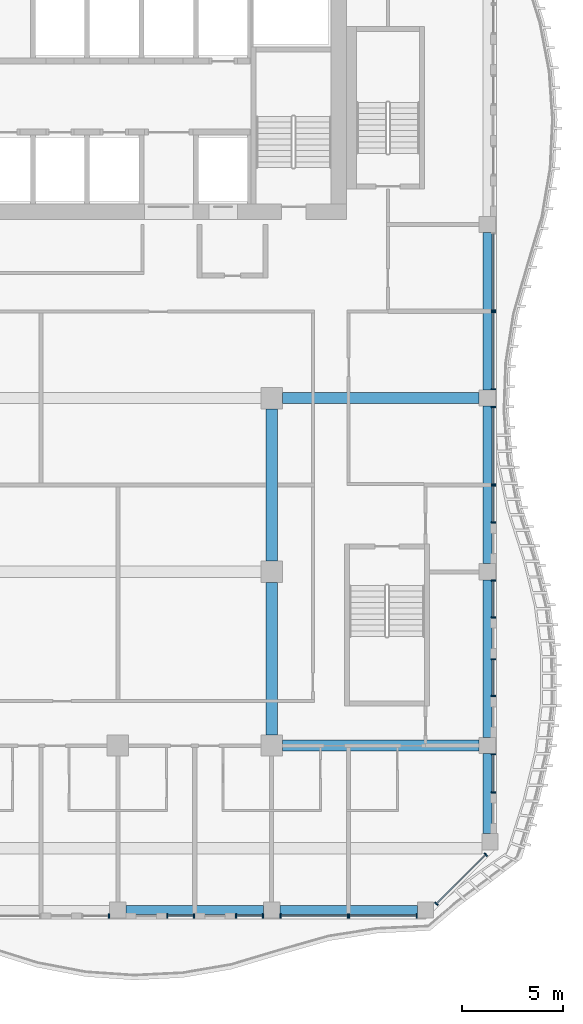
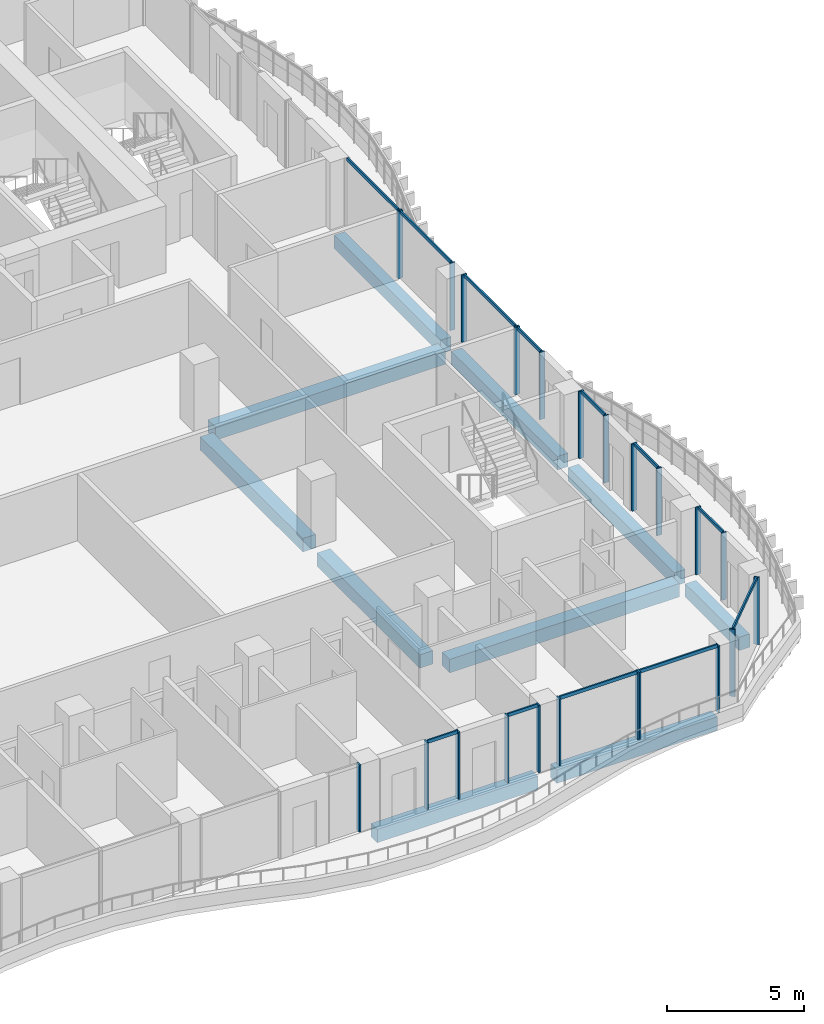
# One storey, part 6 of 24: 36 members, 10 beams, 13 elements without a shape of their own.
"""IFC4 building model written with IfcOpenShell, lengths in metres."""

from ifc_helpers import new_model, si_unit, direction, frame, origin, origin_2d, place, context, subcontext, project, spatial, rectangle, extrude, source, transform, mapped, material, material_profile, profile_set, type_object, element, aggregate, save


model = new_model("IFC4")

# Units and contexts
model_context = context("Model", 3, precision=1e-05, world=origin(), true_north=direction((0.0, 1.0)))
body_context = subcontext(model_context, "Body", "Model", "MODEL_VIEW")
ifc_project = project(units=[si_unit("LENGTHUNIT", "METRE"), si_unit("AREAUNIT", "SQUARE_METRE"), si_unit("VOLUMEUNIT", "CUBIC_METRE"), si_unit("PLANEANGLEUNIT", "RADIAN"), si_unit("MASSUNIT", "GRAM", prefix="KILO")], contexts=[model_context])

# Site, building, storey
site_placement = place(None, origin())
site = spatial("IfcSite", under=ifc_project, at=site_placement, CompositionType="ELEMENT")
building_placement = place(site_placement, origin())
building = spatial("IfcBuilding", under=site, at=building_placement, Name="Kilnfold Tower and Market Hall", CompositionType="ELEMENT")
storey_placement = place(building_placement, frame((0.0, 0.0, 192.300048828125)))
storey = spatial("IfcBuildingStorey", under=building, at=storey_placement, Name="L46", CompositionType="ELEMENT", Elevation=192.300048828125)

# Beams
ifc_material_1 = material(Name="Concrete C45", Category="concrete")
ifc_material_profile_1 = material_profile(ifc_material_1, rectangle(XDim=0.449951171875, YDim=0.60009765625, at=origin_2d()), Name="RC 450x600")
ifc_profile_set_1 = profile_set([ifc_material_profile_1], Name="Concrete C45")
beam_type_1 = type_object("IfcBeamType", Name="EDGE BEAM 450X600 C45", PredefinedType="BEAM", material=ifc_profile_set_1)
shared_shape_1 = source(origin(), body_context, "Body", "SweptSolid", [
    extrude(rectangle(XDim=0.449951171875, YDim=0.60009765625, at=origin_2d()), origin(), (0.0, 0.0, 1.0), 6.783447265625),
])
beam_1_placement = place(storey_placement, frame((14.566650390625, -25.800048828125, -0.580078125), z_axis=(1.0, 0.0, 0.0), x_axis=(0.0, 1.0, 0.0)))
element("IfcBeam", 1, at=beam_1_placement, inside=storey, type_object=beam_type_1, Name="Beam EB600-B5.50", PredefinedType="BEAM", context=body_context, shape_type="MappedRepresentation", body=[
    mapped(shared_shape_1, transform((0.0, 0.0, 0.0))),
])
shared_shape_2 = source(origin(), body_context, "Body", "SweptSolid", [
    extrude(rectangle(XDim=0.449951171875, YDim=0.60009765625, at=origin_2d()), origin(), (0.0, 0.0, 1.0), 6.783203125),
])
beam_2_placement = place(storey_placement, frame((6.9833984375, -25.800048828125, -0.580078125), z_axis=(1.0, 0.0, 0.0), x_axis=(0.0, 1.0, 0.0)))
element("IfcBeam", 2, at=beam_2_placement, inside=storey, type_object=beam_type_1, Name="Beam EB600-B5.49", PredefinedType="BEAM", context=body_context, shape_type="MappedRepresentation", body=[
    mapped(shared_shape_2, transform((0.0, 0.0, 0.0))),
])
ifc_material_2 = material(Name="Concrete C45", Category="concrete")
ifc_material_profile_2 = material_profile(ifc_material_2, rectangle(XDim=0.550048828125, YDim=0.60009765625, at=origin_2d()), Name="RC 550x600")
ifc_profile_set_2 = profile_set([ifc_material_profile_2], Name="Concrete C45")
beam_type_2 = type_object("IfcBeamType", Name="BEAM 550X600 C45", PredefinedType="BEAM", material=ifc_profile_set_2)
shared_shape_3 = source(origin(), body_context, "Body", "SweptSolid", [
    extrude(rectangle(XDim=0.550048828125, YDim=0.60009765625, at=origin_2d()), origin(), (0.0, 0.0, 1.0), 9.708251953125),
])
for number, where, z_axis, x_axis, name in (
    (3, (14.691650390625, -17.68994140625, -0.580078125), (1.0, 0.0, 0.0), (0.0, 1.0, 0.0), "Beam BB600-B5.53"),
    (4, (14.691650390625, -0.56005859375, -0.580078125), (1.0, 0.0, 0.0), (0.0, 1.0, 0.0), "Beam BB600-B5.57"),
):
    element("IfcBeam", number, at=place(storey_placement, frame(where, z_axis=z_axis, x_axis=x_axis)), inside=storey, type_object=beam_type_2, Name=name, PredefinedType="BEAM", context=body_context, shape_type="MappedRepresentation", body=[
        mapped(shared_shape_3, transform((0.0, 0.0, 0.0))),
    ])
shared_shape_4 = source(origin(), body_context, "Body", "SweptSolid", [
    extrude(rectangle(XDim=0.449951171875, YDim=0.60009765625, at=origin_2d()), origin(), (0.0, 0.0, 1.0), 7.7626953125),
])
for number, where, z_axis, x_axis, name in (
    (5, (24.800048828125, -17.28759765625, -0.580078125), (0.0, 1.0, 0.0), (-1.0, 0.0, 0.0), "Beam EB600-B5.76"),
    (6, (24.800048828125, -8.72509765625, -0.580078125), (0.0, 1.0, 0.0), (-1.0, 0.0, 0.0), "Beam EB600-B5.77"),
    (7, (24.800048828125, -0.16259765625, -0.580078125), (0.0, 1.0, 0.0), (-1.0, 0.0, 0.0), "Beam EB600-B5.78"),
):
    element("IfcBeam", number, at=place(storey_placement, frame(where, z_axis=z_axis, x_axis=x_axis)), inside=storey, type_object=beam_type_1, Name=name, PredefinedType="BEAM", context=body_context, shape_type="MappedRepresentation", body=[
        mapped(shared_shape_4, transform((0.0, 0.0, 0.0))),
    ])
shared_shape_5 = source(origin(), body_context, "Body", "SweptSolid", [
    extrude(rectangle(XDim=0.550048828125, YDim=0.60009765625, at=origin_2d()), origin(), (0.0, 0.0, 1.0), 7.5126953125),
])
for number, where, z_axis, x_axis, name in (
    (8, (14.169921875, -17.16259765625, -0.580078125), (0.0, 1.0, 0.0), (-1.0, 0.0, 0.0), "Beam BB600-B5.73"),
    (9, (14.169921875, -8.60009765625, -0.580078125), (0.0, 1.0, 0.0), (-1.0, 0.0, 0.0), "Beam BB600-B5.74"),
):
    element("IfcBeam", number, at=place(storey_placement, frame(where, z_axis=z_axis, x_axis=x_axis)), inside=storey, type_object=beam_type_2, Name=name, PredefinedType="BEAM", context=body_context, shape_type="MappedRepresentation", body=[
        mapped(shared_shape_5, transform((0.0, 0.0, 0.0))),
    ])
shared_shape_6 = source(origin(), body_context, "Body", "SweptSolid", [
    extrude(rectangle(XDim=0.449951171875, YDim=0.60009765625, at=origin_2d()), origin(), (0.0, 0.0, 1.0), 3.9443359375),
])
beam_3_placement = place(storey_placement, frame((24.800048828125, -22.03173828125, -0.580078125), z_axis=(0.0, 1.0, 0.0), x_axis=(-1.0, 0.0, 0.0)))
element("IfcBeam", 10, at=beam_3_placement, inside=storey, type_object=beam_type_1, Name="Beam EB600-B5.75", PredefinedType="BEAM", context=body_context, shape_type="MappedRepresentation", body=[
    mapped(shared_shape_6, transform((0.0, 0.0, 0.0))),
])

# Curtain wall, member
ifc_material_3 = material(Name="Aluminium and double glazing", Category="aluminium")
curtain_wall_type = type_object("IfcCurtainWallType", Name="CW GARDEN HOTEL WINTER GARDEN", PredefinedType="NOTDEFINED", material=ifc_material_3)
curtain_wall_1_placement = place(storey_placement, origin())
curtain_wall_1 = element("IfcCurtainWall", 11, at=curtain_wall_1_placement, inside=storey, type_object=curtain_wall_type, Name="Curtain wall CW5 L46 S", PredefinedType="NOTDEFINED")
ifc_material_4 = material(Name="Aluminium", Category="aluminium")
ifc_material_profile_3 = material_profile(ifc_material_4, rectangle(XDim=0.06494140625, YDim=0.2099609375, at=origin_2d()), Name="MULLION 65x210")
ifc_profile_set_3 = profile_set([ifc_material_profile_3], Name="Aluminium")
member_type_1 = type_object("IfcMemberType", Name="MULLION 65X210", PredefinedType="MULLION", material=ifc_profile_set_3)
shared_shape_7 = source(origin(), body_context, "Body", "SweptSolid", [
    extrude(rectangle(XDim=0.06494140625, YDim=0.2099609375, at=origin_2d()), origin(), (0.0, 0.0, 1.0), 3.0),
])
member_1_placement = place(storey_placement, frame((6.15087890625, -26.10009765625, 0.0), z_axis=(0.0, 0.0, 1.0), x_axis=(1.0, 0.0, 0.0)))
member_1 = element("IfcMember", 12, at=member_1_placement, type_object=member_type_1, Name="CW5 mullion 2", PredefinedType="MULLION", context=body_context, shape_type="MappedRepresentation", body=[
    mapped(shared_shape_7, transform((0.0, 0.0, 0.0))),
])
aggregate(curtain_wall_1, [member_1])

# Curtain wall, members
curtain_wall_2_placement = place(storey_placement, origin())
curtain_wall_2 = element("IfcCurtainWall", 13, at=curtain_wall_2_placement, inside=storey, type_object=curtain_wall_type, Name="Curtain wall CW5 L46 S", PredefinedType="NOTDEFINED")
member_2_placement = place(storey_placement, frame((9.015869140625, -26.10009765625, 0.0), z_axis=(0.0, 0.0, 1.0), x_axis=(1.0, 0.0, 0.0)))
member_2 = element("IfcMember", 14, at=member_2_placement, type_object=member_type_1, Name="CW5 mullion 1", PredefinedType="MULLION", context=body_context, shape_type="MappedRepresentation", body=[
    mapped(shared_shape_7, transform((0.0, 0.0, 0.0))),
])
member_3_placement = place(storey_placement, frame((10.342529296875, -26.10009765625, 0.0), z_axis=(0.0, 0.0, 1.0), x_axis=(1.0, 0.0, 0.0)))
member_3 = element("IfcMember", 15, at=member_3_placement, type_object=member_type_1, Name="CW5 mullion 2", PredefinedType="MULLION", context=body_context, shape_type="MappedRepresentation", body=[
    mapped(shared_shape_7, transform((0.0, 0.0, 0.0))),
])

curtain_wall_3_placement = place(storey_placement, origin())
curtain_wall_3 = element("IfcCurtainWall", 16, at=curtain_wall_3_placement, inside=storey, type_object=curtain_wall_type, Name="Curtain wall CW5 L46 S", PredefinedType="NOTDEFINED")
member_4_placement = place(storey_placement, frame((12.407470703125, -26.10009765625, 0.0), z_axis=(0.0, 0.0, 1.0), x_axis=(1.0, 0.0, 0.0)))
member_4 = element("IfcMember", 17, at=member_4_placement, type_object=member_type_1, Name="CW5 mullion 1", PredefinedType="MULLION", context=body_context, shape_type="MappedRepresentation", body=[
    mapped(shared_shape_7, transform((0.0, 0.0, 0.0))),
])
member_5_placement = place(storey_placement, frame((13.734130859375, -26.10009765625, 0.0), z_axis=(0.0, 0.0, 1.0), x_axis=(1.0, 0.0, 0.0)))
member_5 = element("IfcMember", 18, at=member_5_placement, type_object=member_type_1, Name="CW5 mullion 2", PredefinedType="MULLION", context=body_context, shape_type="MappedRepresentation", body=[
    mapped(shared_shape_7, transform((0.0, 0.0, 0.0))),
])

curtain_wall_4_placement = place(storey_placement, origin())
curtain_wall_4 = element("IfcCurtainWall", 19, at=curtain_wall_4_placement, inside=storey, type_object=curtain_wall_type, Name="Curtain wall CW5 L46 S", PredefinedType="NOTDEFINED")
member_6_placement = place(storey_placement, frame((14.59912109375, -26.10009765625, 0.0), z_axis=(0.0, 0.0, 1.0), x_axis=(1.0, 0.0, 0.0)))
member_6 = element("IfcMember", 20, at=member_6_placement, type_object=member_type_1, Name="CW5 mullion 1", PredefinedType="MULLION", context=body_context, shape_type="MappedRepresentation", body=[
    mapped(shared_shape_7, transform((0.0, 0.0, 0.0))),
])
member_7_placement = place(storey_placement, frame((17.92578125, -26.10009765625, 0.0), z_axis=(0.0, 0.0, 1.0), x_axis=(1.0, 0.0, 0.0)))
member_7 = element("IfcMember", 21, at=member_7_placement, type_object=member_type_1, Name="CW5 mullion 2", PredefinedType="MULLION", context=body_context, shape_type="MappedRepresentation", body=[
    mapped(shared_shape_7, transform((0.0, 0.0, 0.0))),
])

curtain_wall_5_placement = place(storey_placement, origin())
curtain_wall_5 = element("IfcCurtainWall", 22, at=curtain_wall_5_placement, inside=storey, type_object=curtain_wall_type, Name="Curtain wall CW5 L46 S", PredefinedType="NOTDEFINED")
member_8_placement = place(storey_placement, frame((17.99072265625, -26.10009765625, 0.0), z_axis=(0.0, 0.0, 1.0), x_axis=(1.0, 0.0, 0.0)))
member_8 = element("IfcMember", 23, at=member_8_placement, type_object=member_type_1, Name="CW5 mullion 1", PredefinedType="MULLION", context=body_context, shape_type="MappedRepresentation", body=[
    mapped(shared_shape_7, transform((0.0, 0.0, 0.0))),
])
member_9_placement = place(storey_placement, frame((21.3173828125, -26.10009765625, 0.0), z_axis=(0.0, 0.0, 1.0), x_axis=(1.0, 0.0, 0.0)))
member_9 = element("IfcMember", 24, at=member_9_placement, type_object=member_type_1, Name="CW5 mullion 2", PredefinedType="MULLION", context=body_context, shape_type="MappedRepresentation", body=[
    mapped(shared_shape_7, transform((0.0, 0.0, 0.0))),
])

curtain_wall_6_placement = place(storey_placement, origin())
curtain_wall_6 = element("IfcCurtainWall", 25, at=curtain_wall_6_placement, inside=storey, type_object=curtain_wall_type, Name="Curtain wall CW5 L46 SE", PredefinedType="NOTDEFINED")
member_10_placement = place(storey_placement, frame((22.2919921875, -25.495849609375, 0.0), z_axis=(0.0, 0.0, 1.0), x_axis=(0.707121065738, 0.707092496347, 0.0)))
member_10 = element("IfcMember", 26, at=member_10_placement, type_object=member_type_1, Name="CW5 mullion 1", PredefinedType="MULLION", context=body_context, shape_type="MappedRepresentation", body=[
    mapped(shared_shape_7, transform((0.0, 0.0, 0.0))),
])
member_11_placement = place(storey_placement, frame((24.720947265625, -23.06689453125, 0.0), z_axis=(0.0, 0.0, 1.0), x_axis=(0.707121065738, 0.707092496347, 0.0)))
member_11 = element("IfcMember", 27, at=member_11_placement, type_object=member_type_1, Name="CW5 mullion 2", PredefinedType="MULLION", context=body_context, shape_type="MappedRepresentation", body=[
    mapped(shared_shape_7, transform((0.0, 0.0, 0.0))),
])

curtain_wall_7_placement = place(storey_placement, origin())
curtain_wall_7 = element("IfcCurtainWall", 28, at=curtain_wall_7_placement, inside=storey, type_object=curtain_wall_type, Name="Curtain wall CW5 L46 E", PredefinedType="NOTDEFINED")
member_12_placement = place(storey_placement, frame((25.10009765625, -19.999267578125, 0.0), z_axis=(0.0, 0.0, 1.0), x_axis=(0.0, 1.0, 0.0)))
member_12 = element("IfcMember", 29, at=member_12_placement, type_object=member_type_1, Name="CW5 mullion 1", PredefinedType="MULLION", context=body_context, shape_type="MappedRepresentation", body=[
    mapped(shared_shape_7, transform((0.0, 0.0, 0.0))),
])
member_13_placement = place(storey_placement, frame((25.10009765625, -18.1201171875, 0.0), z_axis=(0.0, 0.0, 1.0), x_axis=(0.0, 1.0, 0.0)))
member_13 = element("IfcMember", 30, at=member_13_placement, type_object=member_type_1, Name="CW5 mullion 2", PredefinedType="MULLION", context=body_context, shape_type="MappedRepresentation", body=[
    mapped(shared_shape_7, transform((0.0, 0.0, 0.0))),
])

curtain_wall_8_placement = place(storey_placement, origin())
curtain_wall_8 = element("IfcCurtainWall", 31, at=curtain_wall_8_placement, inside=storey, type_object=curtain_wall_type, Name="Curtain wall CW5 L46 E", PredefinedType="NOTDEFINED")
member_14_placement = place(storey_placement, frame((25.10009765625, -15.2548828125, 0.0), z_axis=(0.0, 0.0, 1.0), x_axis=(0.0, 1.0, 0.0)))
member_14 = element("IfcMember", 32, at=member_14_placement, type_object=member_type_1, Name="CW5 mullion 1", PredefinedType="MULLION", context=body_context, shape_type="MappedRepresentation", body=[
    mapped(shared_shape_7, transform((0.0, 0.0, 0.0))),
])
member_15_placement = place(storey_placement, frame((25.10009765625, -13.438720703125, 0.0), z_axis=(0.0, 0.0, 1.0), x_axis=(0.0, 1.0, 0.0)))
member_15 = element("IfcMember", 33, at=member_15_placement, type_object=member_type_1, Name="CW5 mullion 2", PredefinedType="MULLION", context=body_context, shape_type="MappedRepresentation", body=[
    mapped(shared_shape_7, transform((0.0, 0.0, 0.0))),
])

curtain_wall_9_placement = place(storey_placement, origin())
curtain_wall_9 = element("IfcCurtainWall", 34, at=curtain_wall_9_placement, inside=storey, type_object=curtain_wall_type, Name="Curtain wall CW5 L46 E", PredefinedType="NOTDEFINED")
member_16_placement = place(storey_placement, frame((25.10009765625, -11.373779296875, 0.0), z_axis=(0.0, 0.0, 1.0), x_axis=(0.0, 1.0, 0.0)))
member_16 = element("IfcMember", 35, at=member_16_placement, type_object=member_type_1, Name="CW5 mullion 1", PredefinedType="MULLION", context=body_context, shape_type="MappedRepresentation", body=[
    mapped(shared_shape_7, transform((0.0, 0.0, 0.0))),
])
member_17_placement = place(storey_placement, frame((25.10009765625, -9.5576171875, 0.0), z_axis=(0.0, 0.0, 1.0), x_axis=(0.0, 1.0, 0.0)))
member_17 = element("IfcMember", 36, at=member_17_placement, type_object=member_type_1, Name="CW5 mullion 2", PredefinedType="MULLION", context=body_context, shape_type="MappedRepresentation", body=[
    mapped(shared_shape_7, transform((0.0, 0.0, 0.0))),
])

curtain_wall_10_placement = place(storey_placement, origin())
curtain_wall_10 = element("IfcCurtainWall", 37, at=curtain_wall_10_placement, inside=storey, type_object=curtain_wall_type, Name="Curtain wall CW5 L46 E", PredefinedType="NOTDEFINED")
member_18_placement = place(storey_placement, frame((25.10009765625, -6.6923828125, 0.0), z_axis=(0.0, 0.0, 1.0), x_axis=(0.0, 1.0, 0.0)))
member_18 = element("IfcMember", 38, at=member_18_placement, type_object=member_type_1, Name="CW5 mullion 1", PredefinedType="MULLION", context=body_context, shape_type="MappedRepresentation", body=[
    mapped(shared_shape_7, transform((0.0, 0.0, 0.0))),
])
member_19_placement = place(storey_placement, frame((25.10009765625, -4.876220703125, 0.0), z_axis=(0.0, 0.0, 1.0), x_axis=(0.0, 1.0, 0.0)))
member_19 = element("IfcMember", 39, at=member_19_placement, type_object=member_type_1, Name="CW5 mullion 2", PredefinedType="MULLION", context=body_context, shape_type="MappedRepresentation", body=[
    mapped(shared_shape_7, transform((0.0, 0.0, 0.0))),
])

curtain_wall_11_placement = place(storey_placement, origin())
curtain_wall_11 = element("IfcCurtainWall", 40, at=curtain_wall_11_placement, inside=storey, type_object=curtain_wall_type, Name="Curtain wall CW5 L46 E", PredefinedType="NOTDEFINED")
member_20_placement = place(storey_placement, frame((25.10009765625, -4.811279296875, 0.0), z_axis=(0.0, 0.0, 1.0), x_axis=(0.0, 1.0, 0.0)))
member_20 = element("IfcMember", 41, at=member_20_placement, type_object=member_type_1, Name="CW5 mullion 1", PredefinedType="MULLION", context=body_context, shape_type="MappedRepresentation", body=[
    mapped(shared_shape_7, transform((0.0, 0.0, 0.0))),
])
member_21_placement = place(storey_placement, frame((25.10009765625, -0.9951171875, 0.0), z_axis=(0.0, 0.0, 1.0), x_axis=(0.0, 1.0, 0.0)))
member_21 = element("IfcMember", 42, at=member_21_placement, type_object=member_type_1, Name="CW5 mullion 2", PredefinedType="MULLION", context=body_context, shape_type="MappedRepresentation", body=[
    mapped(shared_shape_7, transform((0.0, 0.0, 0.0))),
])

curtain_wall_12_placement = place(storey_placement, origin())
curtain_wall_12 = element("IfcCurtainWall", 43, at=curtain_wall_12_placement, inside=storey, type_object=curtain_wall_type, Name="Curtain wall CW5 L46 E", PredefinedType="NOTDEFINED")
member_22_placement = place(storey_placement, frame((25.10009765625, -0.1298828125, 0.0), z_axis=(0.0, 0.0, 1.0), x_axis=(0.0, 1.0, 0.0)))
member_22 = element("IfcMember", 44, at=member_22_placement, type_object=member_type_1, Name="CW5 mullion 1", PredefinedType="MULLION", context=body_context, shape_type="MappedRepresentation", body=[
    mapped(shared_shape_7, transform((0.0, 0.0, 0.0))),
])
member_23_placement = place(storey_placement, frame((25.10009765625, 3.686279296875, 0.0), z_axis=(0.0, 0.0, 1.0), x_axis=(0.0, 1.0, 0.0)))
member_23 = element("IfcMember", 45, at=member_23_placement, type_object=member_type_1, Name="CW5 mullion 2", PredefinedType="MULLION", context=body_context, shape_type="MappedRepresentation", body=[
    mapped(shared_shape_7, transform((0.0, 0.0, 0.0))),
])

# Curtain wall, member
curtain_wall_13_placement = place(storey_placement, origin())
curtain_wall_13 = element("IfcCurtainWall", 46, at=curtain_wall_13_placement, inside=storey, type_object=curtain_wall_type, Name="Curtain wall CW5 L46 E", PredefinedType="NOTDEFINED")
member_24_placement = place(storey_placement, frame((25.10009765625, 3.751220703125, 0.0), z_axis=(0.0, 0.0, 1.0), x_axis=(0.0, 1.0, 0.0)))
member_24 = element("IfcMember", 47, at=member_24_placement, type_object=member_type_1, Name="CW5 mullion 1", PredefinedType="MULLION", context=body_context, shape_type="MappedRepresentation", body=[
    mapped(shared_shape_7, transform((0.0, 0.0, 0.0))),
])

# Member
ifc_material_5 = material(Name="Aluminium", Category="aluminium")
ifc_material_profile_4 = material_profile(ifc_material_5, rectangle(XDim=0.06494140625, YDim=0.14990234375, at=origin_2d()), Name="TRANSOM 65x150")
ifc_profile_set_4 = profile_set([ifc_material_profile_4], Name="Aluminium")
member_type_2 = type_object("IfcMemberType", Name="TRANSOM 65X150", PredefinedType="USERDEFINED", material=ifc_profile_set_4)
shared_shape_8 = source(origin(), body_context, "Body", "SweptSolid", [
    extrude(rectangle(XDim=0.06494140625, YDim=0.14990234375, at=origin_2d()), origin(), (0.0, 0.0, 1.0), 1.26171875),
])
member_25_placement = place(storey_placement, frame((9.04833984375, -26.10009765625, 2.967529296875), z_axis=(1.0, 0.0, 0.0), x_axis=(0.0, 1.0, 0.0)))
member_25 = element("IfcMember", 48, at=member_25_placement, type_object=member_type_2, Name="CW5 transom 1.2", ObjectType="TRANSOM", PredefinedType="USERDEFINED", context=body_context, shape_type="MappedRepresentation", body=[
    mapped(shared_shape_8, transform((0.0, 0.0, 0.0))),
])

aggregate(curtain_wall_2, [member_2, member_3, member_25])

member_26_placement = place(storey_placement, frame((12.43994140625, -26.10009765625, 2.967529296875), z_axis=(1.0, 0.0, 0.0), x_axis=(0.0, 1.0, 0.0)))
member_26 = element("IfcMember", 49, at=member_26_placement, type_object=member_type_2, Name="CW5 transom 1.2", ObjectType="TRANSOM", PredefinedType="USERDEFINED", context=body_context, shape_type="MappedRepresentation", body=[
    mapped(shared_shape_8, transform((0.0, 0.0, 0.0))),
])

aggregate(curtain_wall_3, [member_4, member_5, member_26])

shared_shape_9 = source(origin(), body_context, "Body", "SweptSolid", [
    extrude(rectangle(XDim=0.06494140625, YDim=0.14990234375, at=origin_2d()), origin(), (0.0, 0.0, 1.0), 3.26171875),
])
member_27_placement = place(storey_placement, frame((14.631591796875, -26.10009765625, 2.967529296875), z_axis=(1.0, 0.0, 0.0), x_axis=(0.0, 1.0, 0.0)))
member_27 = element("IfcMember", 50, at=member_27_placement, type_object=member_type_2, Name="CW5 transom 1.2", ObjectType="TRANSOM", PredefinedType="USERDEFINED", context=body_context, shape_type="MappedRepresentation", body=[
    mapped(shared_shape_9, transform((0.0, 0.0, 0.0))),
])

aggregate(curtain_wall_4, [member_6, member_7, member_27])

member_28_placement = place(storey_placement, frame((18.023193359375, -26.10009765625, 2.967529296875), z_axis=(1.0, 0.0, 0.0), x_axis=(0.0, 1.0, 0.0)))
member_28 = element("IfcMember", 51, at=member_28_placement, type_object=member_type_2, Name="CW5 transom 1.2", ObjectType="TRANSOM", PredefinedType="USERDEFINED", context=body_context, shape_type="MappedRepresentation", body=[
    mapped(shared_shape_9, transform((0.0, 0.0, 0.0))),
])

aggregate(curtain_wall_5, [member_8, member_9, member_28])

shared_shape_10 = source(origin(), body_context, "Body", "SweptSolid", [
    extrude(rectangle(XDim=0.06494140625, YDim=0.14990234375, at=origin_2d()), origin(), (0.0, 0.0, 1.0), 3.3701171875),
])
member_29_placement = place(storey_placement, frame((22.31494140625, -25.472900390625, 2.967529296875), z_axis=(0.707106781187, 0.707106781187, 0.0), x_axis=(-0.707106781187, 0.707106781187, 0.0)))
member_29 = element("IfcMember", 52, at=member_29_placement, type_object=member_type_2, Name="CW5 transom 1.2", ObjectType="TRANSOM", PredefinedType="USERDEFINED", context=body_context, shape_type="MappedRepresentation", body=[
    mapped(shared_shape_10, transform((0.0, 0.0, 0.0))),
])

aggregate(curtain_wall_6, [member_10, member_11, member_29])

shared_shape_11 = source(origin(), body_context, "Body", "SweptSolid", [
    extrude(rectangle(XDim=0.06494140625, YDim=0.14990234375, at=origin_2d()), origin(), (0.0, 0.0, 1.0), 1.814208984375),
])
member_30_placement = place(storey_placement, frame((25.10009765625, -19.966796875, 2.967529296875), z_axis=(0.0, 1.0, 0.0), x_axis=(-1.0, 0.0, 0.0)))
member_30 = element("IfcMember", 53, at=member_30_placement, type_object=member_type_2, Name="CW5 transom 1.2", ObjectType="TRANSOM", PredefinedType="USERDEFINED", context=body_context, shape_type="MappedRepresentation", body=[
    mapped(shared_shape_11, transform((0.0, 0.0, 0.0))),
])

aggregate(curtain_wall_7, [member_12, member_13, member_30])

shared_shape_12 = source(origin(), body_context, "Body", "SweptSolid", [
    extrude(rectangle(XDim=0.06494140625, YDim=0.14990234375, at=origin_2d()), origin(), (0.0, 0.0, 1.0), 1.751220703125),
])
member_31_placement = place(storey_placement, frame((25.10009765625, -15.222412109375, 2.967529296875), z_axis=(0.0, 1.0, 0.0), x_axis=(-1.0, 0.0, 0.0)))
member_31 = element("IfcMember", 54, at=member_31_placement, type_object=member_type_2, Name="CW5 transom 1.2", ObjectType="TRANSOM", PredefinedType="USERDEFINED", context=body_context, shape_type="MappedRepresentation", body=[
    mapped(shared_shape_12, transform((0.0, 0.0, 0.0))),
])

aggregate(curtain_wall_8, [member_14, member_15, member_31])

member_32_placement = place(storey_placement, frame((25.10009765625, -11.34130859375, 2.967529296875), z_axis=(0.0, 1.0, 0.0), x_axis=(-1.0, 0.0, 0.0)))
member_32 = element("IfcMember", 55, at=member_32_placement, type_object=member_type_2, Name="CW5 transom 1.2", ObjectType="TRANSOM", PredefinedType="USERDEFINED", context=body_context, shape_type="MappedRepresentation", body=[
    mapped(shared_shape_12, transform((0.0, 0.0, 0.0))),
])

aggregate(curtain_wall_9, [member_16, member_17, member_32])

member_33_placement = place(storey_placement, frame((25.10009765625, -6.659912109375, 2.967529296875), z_axis=(0.0, 1.0, 0.0), x_axis=(-1.0, 0.0, 0.0)))
member_33 = element("IfcMember", 56, at=member_33_placement, type_object=member_type_2, Name="CW5 transom 1.2", ObjectType="TRANSOM", PredefinedType="USERDEFINED", context=body_context, shape_type="MappedRepresentation", body=[
    mapped(shared_shape_12, transform((0.0, 0.0, 0.0))),
])

aggregate(curtain_wall_10, [member_18, member_19, member_33])

shared_shape_13 = source(origin(), body_context, "Body", "SweptSolid", [
    extrude(rectangle(XDim=0.06494140625, YDim=0.14990234375, at=origin_2d()), origin(), (0.0, 0.0, 1.0), 3.751220703125),
])
member_34_placement = place(storey_placement, frame((25.10009765625, -4.77880859375, 2.967529296875), z_axis=(0.0, 1.0, 0.0), x_axis=(-1.0, 0.0, 0.0)))
member_34 = element("IfcMember", 57, at=member_34_placement, type_object=member_type_2, Name="CW5 transom 1.2", ObjectType="TRANSOM", PredefinedType="USERDEFINED", context=body_context, shape_type="MappedRepresentation", body=[
    mapped(shared_shape_13, transform((0.0, 0.0, 0.0))),
])

aggregate(curtain_wall_11, [member_20, member_21, member_34])

member_35_placement = place(storey_placement, frame((25.10009765625, -0.097412109375, 2.967529296875), z_axis=(0.0, 1.0, 0.0), x_axis=(-1.0, 0.0, 0.0)))
member_35 = element("IfcMember", 58, at=member_35_placement, type_object=member_type_2, Name="CW5 transom 1.2", ObjectType="TRANSOM", PredefinedType="USERDEFINED", context=body_context, shape_type="MappedRepresentation", body=[
    mapped(shared_shape_13, transform((0.0, 0.0, 0.0))),
])

aggregate(curtain_wall_12, [member_22, member_23, member_35])

member_36_placement = place(storey_placement, frame((25.10009765625, 3.78369140625, 2.967529296875), z_axis=(0.0, 1.0, 0.0), x_axis=(-1.0, 0.0, 0.0)))
member_36 = element("IfcMember", 59, at=member_36_placement, type_object=member_type_2, Name="CW5 transom 1.2", ObjectType="TRANSOM", PredefinedType="USERDEFINED", context=body_context, shape_type="MappedRepresentation", body=[
    mapped(shared_shape_13, transform((0.0, 0.0, 0.0))),
])

aggregate(curtain_wall_13, [member_24, member_36])

save(model, "model.ifc")
